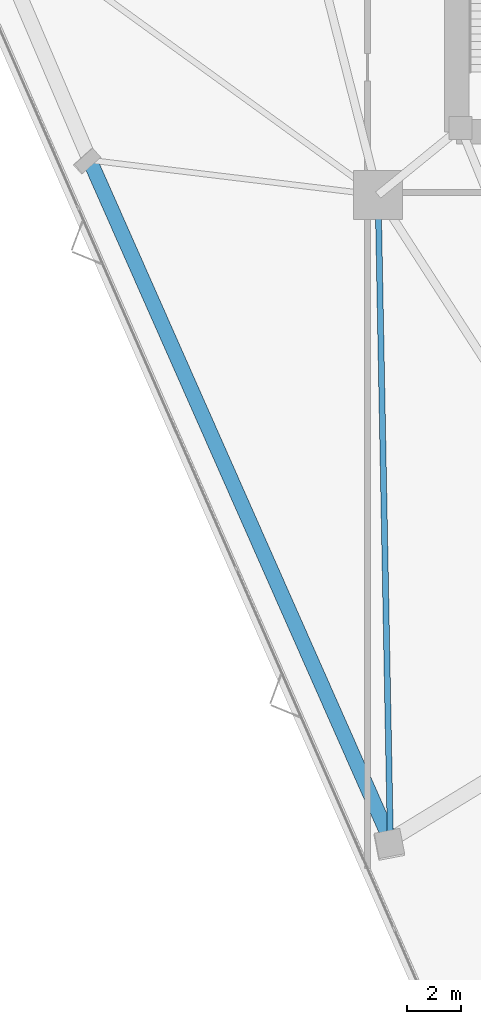
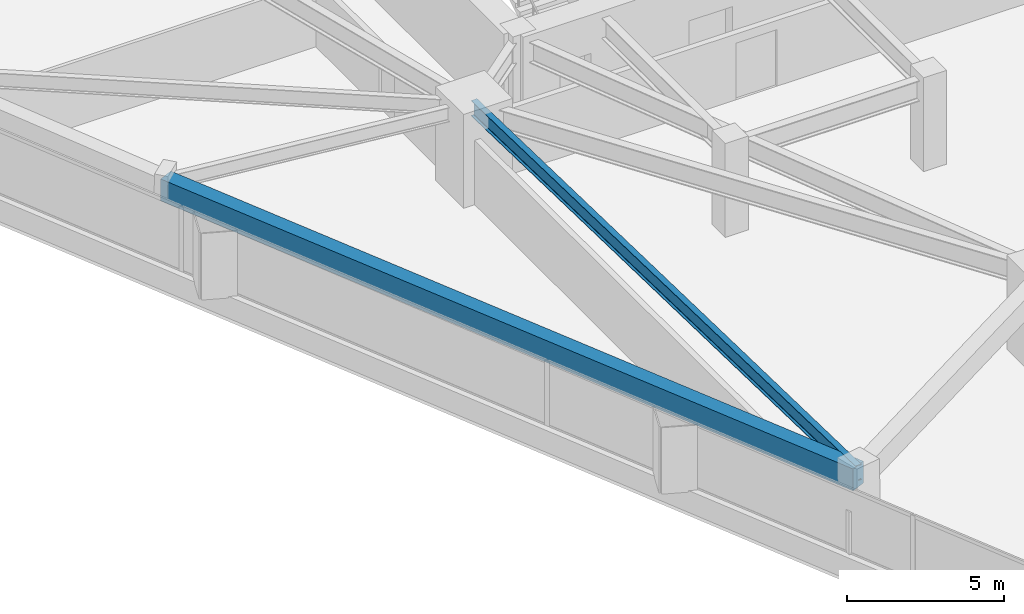
# One storey, part 3 of 20: 2 beams.
"""IFC4 building model written with IfcOpenShell, lengths in metres."""

from ifc_helpers import new_model, si_unit, direction, frame, origin, origin_2d, place, context, subcontext, project, spatial, rectangle, i_section, extrude, material, material_profile, profile_set, type_object, element, save


model = new_model("IFC4")

# Units and contexts
model_context = context("Model", 3, precision=1e-05, world=origin(), true_north=direction((0.0, 1.0)))
body_context = subcontext(model_context, "Body", "Model", "MODEL_VIEW")
ifc_project = project(units=[si_unit("LENGTHUNIT", "METRE"), si_unit("AREAUNIT", "SQUARE_METRE"), si_unit("VOLUMEUNIT", "CUBIC_METRE"), si_unit("PLANEANGLEUNIT", "RADIAN"), si_unit("MASSUNIT", "GRAM", prefix="KILO")], contexts=[model_context])

# Site, building, storey
site_placement = place(None, origin())
site = spatial("IfcSite", under=ifc_project, at=site_placement, CompositionType="ELEMENT")
building_placement = place(site_placement, origin())
building = spatial("IfcBuilding", under=site, at=building_placement, Name="Talyreon Biosciences Tower", CompositionType="ELEMENT")
storey_placement = place(building_placement, frame((0.0, 0.0, 37.39990234375)))
storey = spatial("IfcBuildingStorey", under=building, at=storey_placement, Name="L09", CompositionType="ELEMENT", Elevation=37.39990234375)

# Beams
ifc_material_1 = material(Name="Precast concrete C45/55", Category="concrete")
ifc_material_profile_1 = material_profile(ifc_material_1, rectangle(XDim=0.550048828125, YDim=0.85009765625, at=origin_2d()), Name="RCB 550x850")
ifc_profile_set_1 = profile_set([ifc_material_profile_1], Name="Precast concrete C45/55")
beam_type_1 = type_object("IfcBeamType", Name="ExpressedSpandrel_550x850", PredefinedType="SPANDREL", material=ifc_profile_set_1)
beam_1_placement = place(storey_placement, frame((44.306884765625, 60.162353515625, 2.9501953125), z_axis=(0.404529287558, -0.914525043674, 0.0), x_axis=(0.914525043674, 0.404529287558, 0.0)))
element("IfcBeam", 1, at=beam_1_placement, inside=storey, type_object=beam_type_1, Name="L09 Expressed Horizontal Concrete Spandrel 11", PredefinedType="SPANDREL", context=body_context, shape_type="SweptSolid", body=[
    extrude(rectangle(XDim=0.550048828125, YDim=0.85009765625, at=origin_2d()), origin(), (0.0, 0.0, 1.0), 27.333984375),
])
ifc_material_2 = material(Name="Steel SM355", Category="steel")
ifc_material_profile_2 = material_profile(ifc_material_2, i_section(OverallWidth=0.219970703125, OverallDepth=0.60009765625, WebThickness=0.011962890625, FlangeThickness=0.01904296875, FilletRadius=0.02392578125, at=origin_2d()), Name="IPE600")
ifc_profile_set_2 = profile_set([ifc_material_profile_2], Name="Steel SM355")
beam_type_2 = type_object("IfcBeamType", Name="SteelJoist_IPE600", PredefinedType="JOIST", material=ifc_profile_set_2)
beam_2_placement = place(storey_placement, frame((54.913818359375, 58.88037109375, 3.0751953125), z_axis=(0.018989976207, -0.999819674143, 0.0), x_axis=(0.999819674143, 0.018989976207, 0.0)))
element("IfcBeam", 2, at=beam_2_placement, inside=storey, type_object=beam_type_2, Name="L09 Radial Composite Floor Joist PC-SW2", PredefinedType="JOIST", context=body_context, shape_type="SweptSolid", body=[
    extrude(i_section(OverallWidth=0.219970703125, OverallDepth=0.60009765625, WebThickness=0.011962890625, FlangeThickness=0.01904296875, FilletRadius=0.02392578125, at=origin_2d()), origin(), (0.0, 0.0, 1.0), 23.719970703125),
])

save(model, "model.ifc")
